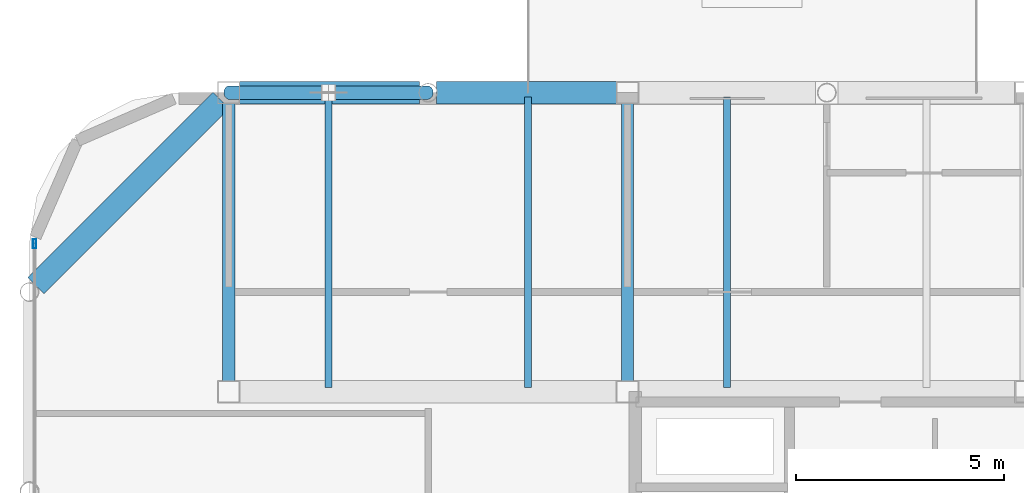
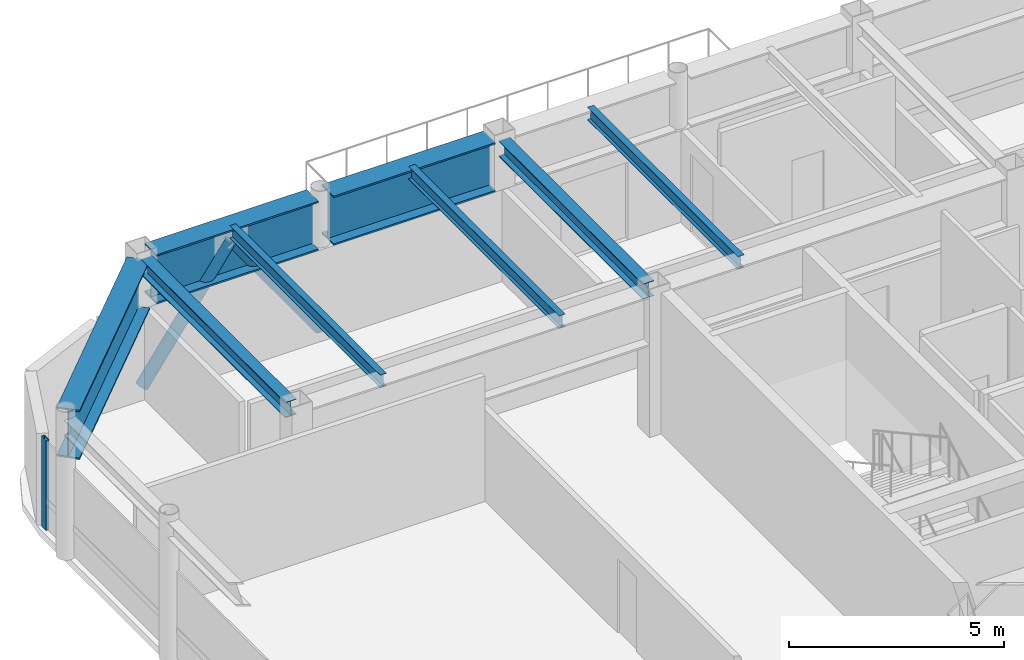
# One storey, part 12 of 23: 8 beams, 3 members, 1 element without a shape of its own.
"""IFC4 building model written with IfcOpenShell, lengths in metres."""

from ifc_helpers import new_model, si_unit, direction, frame, origin, origin_2d, place, context, subcontext, project, spatial, hollow_rectangle, hollow_circle, i_section, extrude, material, layer, layer_set, material_profile, profile_set, type_object, element, aggregate, save


model = new_model("IFC4")

# Units and contexts
model_context = context("Model", 3, precision=1e-05, world=origin(), true_north=direction((0.0, 1.0)))
body_context = subcontext(model_context, "Body", "Model", "MODEL_VIEW")
ifc_project = project(units=[si_unit("LENGTHUNIT", "METRE"), si_unit("AREAUNIT", "SQUARE_METRE"), si_unit("VOLUMEUNIT", "CUBIC_METRE"), si_unit("PLANEANGLEUNIT", "RADIAN"), si_unit("MASSUNIT", "GRAM", prefix="KILO")], contexts=[model_context])

# Site, building, storey
site_placement = place(None, origin())
site = spatial("IfcSite", under=ifc_project, at=site_placement, CompositionType="ELEMENT")
building_placement = place(site_placement, origin())
building = spatial("IfcBuilding", under=site, at=building_placement, Name="Kallvorn Hotel Tower", CompositionType="ELEMENT")
storey_placement = place(building_placement, frame((0.0, 0.0, 282.199951171875)))
storey = spatial("IfcBuildingStorey", under=building, at=storey_placement, Name="L70", CompositionType="ELEMENT", Elevation=282.199951171875)

# Beams
ifc_material_1 = material(Name="Structural steel S355JR", Category="steel")
ifc_material_profile_1 = material_profile(ifc_material_1, i_section(OverallWidth=0.300048828125, OverallDepth=0.43994140625, WebThickness=0.011474609375, FlangeThickness=0.02099609375, at=origin_2d()), Name="HE 450 A")
ifc_profile_set_1 = profile_set([ifc_material_profile_1], Name="Structural steel S355JR")
beam_type_1 = type_object("IfcBeamType", Name="BM_HE450A", PredefinedType="BEAM", material=ifc_profile_set_1)
for number, where, z_axis, x_axis, name in (
    (1, (-24.0, 7.449951171875, 3.780029296875), (0.0, 1.0, 0.0), (-1.0, 0.0, 0.0), "L71 Primary Y-Girder 33"),
    (2, (-14.39990234375, 7.449951171875, 3.780029296875), (0.0, 1.0, 0.0), (-1.0, 0.0, 0.0), "L71 Primary Y-Girder 36"),
):
    element("IfcBeam", number, at=place(storey_placement, frame(where, z_axis=z_axis, x_axis=x_axis)), inside=storey, type_object=beam_type_1, Name=name, PredefinedType="BEAM", context=body_context, shape_type="SweptSolid", body=[
        extrude(i_section(OverallWidth=0.300048828125, OverallDepth=0.43994140625, WebThickness=0.011474609375, FlangeThickness=0.02099609375, at=origin_2d()), origin(), (0.0, 0.0, 1.0), 6.699951171875),
    ])
ifc_material_2 = material(Name="Structural steel S355JR", Category="steel")
ifc_material_profile_2 = material_profile(ifc_material_2, i_section(OverallWidth=0.169921875, OverallDepth=0.360107421875, WebThickness=0.008056640625, FlangeThickness=0.0126953125, at=origin_2d()), Name="IPE 360")
ifc_profile_set_2 = profile_set([ifc_material_profile_2], Name="Structural steel S355JR")
beam_type_2 = type_object("IfcBeamType", Name="BM_IPE360", PredefinedType="JOIST", material=ifc_profile_set_2)
for number, where, z_axis, x_axis, name in (
    (3, (-21.60009765625, 7.300048828125, 3.820068359375), (0.0, 1.0, 0.0), (-1.0, 0.0, 0.0), "L71 Secondary Composite Joist 91"),
    (4, (-16.800048828125, 7.300048828125, 3.820068359375), (0.0, 1.0, 0.0), (-1.0, 0.0, 0.0), "L71 Secondary Composite Joist 93"),
    (5, (-12.0, 7.300048828125, 3.820068359375), (0.0, 1.0, 0.0), (-1.0, 0.0, 0.0), "L71 Secondary Composite Joist 95"),
):
    element("IfcBeam", number, at=place(storey_placement, frame(where, z_axis=z_axis, x_axis=x_axis)), inside=storey, type_object=beam_type_2, Name=name, PredefinedType="JOIST", context=body_context, shape_type="SweptSolid", body=[
        extrude(i_section(OverallWidth=0.169921875, OverallDepth=0.360107421875, WebThickness=0.008056640625, FlangeThickness=0.0126953125, at=origin_2d()), origin(), (0.0, 0.0, 1.0), 7.0),
    ])
ifc_material_3 = material(Name="Structural steel S355JR", Category="steel")
ifc_material_profile_3 = material_profile(ifc_material_3, i_section(OverallWidth=0.550048828125, OverallDepth=1.39990234375, WebThickness=0.02490234375, FlangeThickness=0.044921875, at=origin_2d()), Name="PG 1400x550x25x45")
ifc_profile_set_3 = profile_set([ifc_material_profile_3], Name="Structural steel S355JR")
beam_type_3 = type_object("IfcBeamType", Name="BM_PG_1400", PredefinedType="BEAM", material=ifc_profile_set_3)
beam_1_placement = place(storey_placement, frame((-23.75, 14.39990234375, 3.300048828125), z_axis=(1.0, 0.0, 0.0), x_axis=(0.0, 1.0, 0.0)))
element("IfcBeam", 6, at=beam_1_placement, inside=storey, type_object=beam_type_3, Name="L71 Primary X-Girder 16", PredefinedType="BEAM", context=body_context, shape_type="SweptSolid", body=[
    extrude(i_section(OverallWidth=0.550048828125, OverallDepth=1.39990234375, WebThickness=0.02490234375, FlangeThickness=0.044921875, at=origin_2d()), origin(), (0.0, 0.0, 1.0), 4.346435546875),
])
beam_2_placement = place(storey_placement, frame((-18.99658203125, 14.39990234375, 3.300048828125), z_axis=(1.0, 0.0, 0.0), x_axis=(0.0, 1.0, 0.0)))
element("IfcBeam", 7, at=beam_2_placement, inside=storey, type_object=beam_type_3, Name="L71 Primary X-Girder 17", PredefinedType="BEAM", context=body_context, shape_type="SweptSolid", body=[
    extrude(i_section(OverallWidth=0.550048828125, OverallDepth=1.39990234375, WebThickness=0.02490234375, FlangeThickness=0.044921875, at=origin_2d()), origin(), (0.0, 0.0, 1.0), 4.3466796875),
])
beam_3_placement = place(storey_placement, frame((-28.6455078125, 9.75439453125, 3.300048828125), z_axis=(0.707087419273, 0.70712614257, 0.0), x_axis=(-0.70712614257, 0.707087419273, 0.0)))
element("IfcBeam", 8, at=beam_3_placement, inside=storey, type_object=beam_type_3, Name="L71 Rounded Corner Tie Beam 87", PredefinedType="BEAM", context=body_context, shape_type="SweptSolid", body=[
    extrude(i_section(OverallWidth=0.550048828125, OverallDepth=1.39990234375, WebThickness=0.02490234375, FlangeThickness=0.044921875, at=origin_2d()), origin(), (0.0, 0.0, 1.0), 6.3046875),
])

# Curtain wall, member
ifc_material_4 = material(Name="Thermally broken black-anodised aluminium AA 6063-T6", Category="aluminium")
ifc_layer = layer(ifc_material_4, 0.25)
ifc_layer_set = layer_set([ifc_layer], Name="CW_SYS_6_SUMMIT_OBS")
curtain_wall_type = type_object("IfcCurtainWallType", Name="CW_SYS_6_SUMMIT_OBS", PredefinedType="USERDEFINED", material=ifc_layer_set)
curtain_wall_placement = place(storey_placement, origin())
curtain_wall = element("IfcCurtainWall", 9, at=curtain_wall_placement, inside=storey, type_object=curtain_wall_type, Name="L70 Dark-Glass Curtain Wall CW-L70-WN", ObjectType="UNITISED CURTAIN WALL", PredefinedType="USERDEFINED")
ifc_material_5 = material(Name="Thermally broken black-anodised aluminium AA 6063-T6", Category="aluminium")
ifc_material_profile_4 = material_profile(ifc_material_5, hollow_rectangle(XDim=0.080078125, YDim=0.219970703125, WallThickness=0.0048828125, at=origin_2d()), Name="MUL 220x80")
ifc_profile_set_4 = profile_set([ifc_material_profile_4], Name="Thermally broken black-anodised aluminium AA 6063-T6")
member_type_1 = type_object("IfcMemberType", Name="CW_MULLION_220x80", PredefinedType="MULLION", material=ifc_profile_set_4)
member_placement = place(storey_placement, frame((-28.679931640625, 10.760009765625, 0.02001953125), z_axis=(0.0, 0.0, 1.0), x_axis=(1.0, 0.0, 0.0)))
member = element("IfcMember", 10, at=member_placement, type_object=member_type_1, Name="CW-L70-WN Mullion 01", PredefinedType="MULLION", context=body_context, shape_type="SweptSolid", body=[
    extrude(hollow_rectangle(XDim=0.080078125, YDim=0.219970703125, WallThickness=0.0048828125, at=origin_2d()), origin(), (0.0, 0.0, 1.0), 2.56005859375),
])
aggregate(curtain_wall, [member])

# Members
ifc_material_6 = material(Name="Structural steel S355J2H", Category="steel")
ifc_material_profile_5 = material_profile(ifc_material_6, hollow_circle(Radius=0.161865234375, WallThickness=0.012451171875, at=origin_2d()), Name="CHS 323.9x12.5")
ifc_profile_set_5 = profile_set([ifc_material_profile_5], Name="Structural steel S355J2H")
member_type_2 = type_object("IfcMemberType", Name="MBR_EXO_CHS323", PredefinedType="BRACE", material=ifc_profile_set_5)
for number, where, z_axis, x_axis, name in (
    (11, (-23.98828125, 14.39990234375, 0.1962890625), (0.581238193719, 0.0, 0.813733471207), (0.0, 1.0, 0.0), "L70 Exoskeleton K-Brace N1A"),
    (12, (-19.211669921875, 14.39990234375, 0.1962890625), (-0.581238193719, 0.0, 0.813733471207), (0.0, -1.0, 0.0), "L70 Exoskeleton K-Brace N1B"),
):
    element("IfcMember", number, at=place(storey_placement, frame(where, z_axis=z_axis, x_axis=x_axis)), inside=storey, type_object=member_type_2, Name=name, PredefinedType="BRACE", context=body_context, shape_type="SweptSolid", body=[
        extrude(hollow_circle(Radius=0.161865234375, WallThickness=0.012451171875, at=origin_2d()), origin(), (0.0, 0.0, 1.0), 4.089111328125),
    ])

save(model, "model.ifc")
